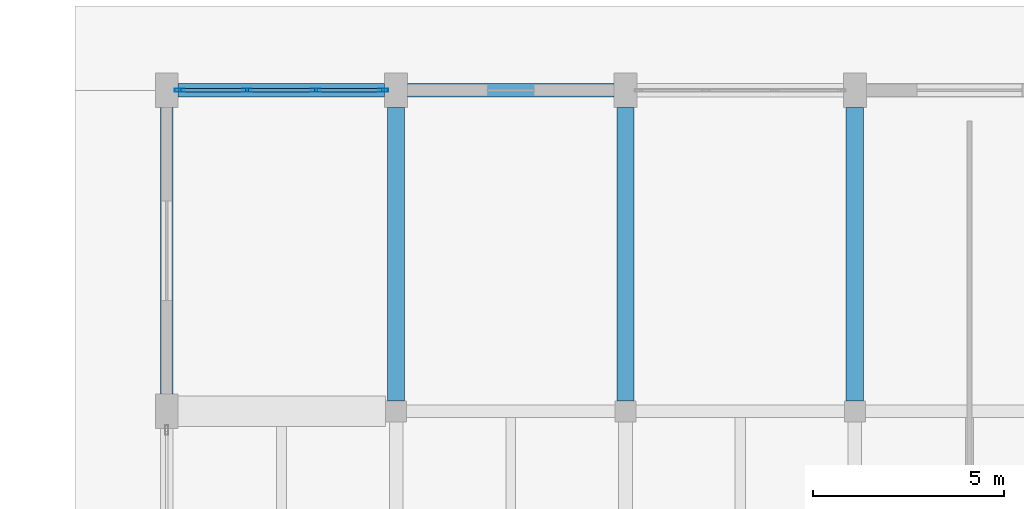
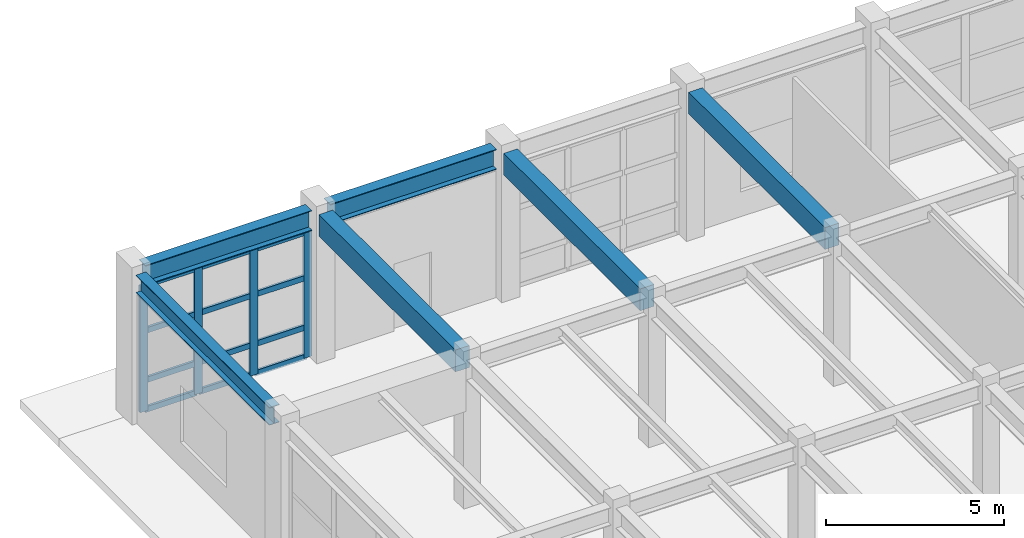
# One storey, part 39 of 91: 16 members, 6 beams, 1 element without a shape of its own.
"""IFC4 building model written with IfcOpenShell, lengths in metres."""

from ifc_helpers import new_model, si_unit, direction, frame, origin, origin_2d, place, context, subcontext, project, spatial, rectangle, hollow_rectangle, i_section, extrude, material, layer, layer_set, material_profile, profile_set, type_object, element, aggregate, save


model = new_model("IFC4")

# Units and contexts
model_context = context("Model", 3, precision=1e-05, world=origin(), true_north=direction((0.0, 1.0)))
body_context = subcontext(model_context, "Body", "Model", "MODEL_VIEW")
ifc_project = project(units=[si_unit("LENGTHUNIT", "METRE"), si_unit("AREAUNIT", "SQUARE_METRE"), si_unit("VOLUMEUNIT", "CUBIC_METRE"), si_unit("PLANEANGLEUNIT", "RADIAN"), si_unit("MASSUNIT", "GRAM", prefix="KILO")], contexts=[model_context])

# Site, building, storey
site_placement = place(None, origin())
site = spatial("IfcSite", under=ifc_project, at=site_placement, CompositionType="ELEMENT")
building_placement = place(site_placement, origin())
building = spatial("IfcBuilding", under=site, at=building_placement, Name="Vaelkrest Opera House", CompositionType="ELEMENT")
storey_placement = place(building_placement, origin())
storey = spatial("IfcBuildingStorey", under=building, at=storey_placement, Name="L00", CompositionType="ELEMENT", Elevation=0.0)

# Beams
ifc_material_1 = material(Name="Concrete C50/60", Category="concrete")
ifc_material_profile_1 = material_profile(ifc_material_1, rectangle(XDim=0.449951171875, YDim=0.75, at=origin_2d()), Name="RCB450X750")
ifc_profile_set_1 = profile_set([ifc_material_profile_1], Name="Concrete C50/60")
beam_type_1 = type_object("IfcBeamType", Name="B02", PredefinedType="BEAM", material=ifc_profile_set_1)
for number, where, z_axis, x_axis, name in (
    (1, (-69.60009765625, 33.875, 4.72998046875), (0.0, 1.0, 0.0), (-1.0, 0.0, 0.0), "Beam BM-V3-L00-1443"),
    (2, (-63.60009765625, 33.875, 4.72998046875), (0.0, 1.0, 0.0), (-1.0, 0.0, 0.0), "Beam BM-V3-L00-1447"),
    (3, (-57.60009765625, 33.875, 4.72998046875), (0.0, 1.0, 0.0), (-1.0, 0.0, 0.0), "Beam BM-V3-L00-1451"),
):
    element("IfcBeam", number, at=place(storey_placement, frame(where, z_axis=z_axis, x_axis=x_axis)), inside=storey, type_object=beam_type_1, Name=name, PredefinedType="BEAM", context=body_context, shape_type="SweptSolid", body=[
        extrude(rectangle(XDim=0.449951171875, YDim=0.75, at=origin_2d()), origin(), (0.0, 0.0, 1.0), 7.675048828125),
    ])

# Curtain wall, members
ifc_material_2 = material(Name="Dark bronze anodized aluminium", Category="aluminium")
ifc_layer = layer(ifc_material_2, 0.2099609375)
ifc_layer_set = layer_set([ifc_layer], Name="Dark bronze anodized aluminium")
curtain_wall_type = type_object("IfcCurtainWallType", Name="CW04", PredefinedType="NOTDEFINED", material=ifc_layer_set)
curtain_wall_placement = place(storey_placement, origin())
curtain_wall = element("IfcCurtainWall", 4, at=curtain_wall_placement, inside=storey, type_object=curtain_wall_type, Name="Curtain wall CW-L00-092", PredefinedType="NOTDEFINED")
ifc_material_profile_2 = material_profile(ifc_material_2, hollow_rectangle(XDim=0.080078125, YDim=0.260009765625, WallThickness=0.0048828125, at=origin_2d()), Name="CWM80X260")
ifc_profile_set_2 = profile_set([ifc_material_profile_2], Name="Dark bronze anodized aluminium")
member_type_1 = type_object("IfcMemberType", Name="CWM04", PredefinedType="MULLION", material=ifc_profile_set_2)
member_1_placement = place(storey_placement, frame((-75.261962890625, 42.0, 0.0), z_axis=(0.0, 0.0, 1.0), x_axis=(0.0, 1.0, 0.0)))
member_1 = element("IfcMember", 5, at=member_1_placement, type_object=member_type_1, Name="CW04 mullion 1", PredefinedType="MULLION", context=body_context, shape_type="SweptSolid", body=[
    extrude(hollow_rectangle(XDim=0.080078125, YDim=0.260009765625, WallThickness=0.0048828125, at=origin_2d()), origin(), (0.0, 0.0, 1.0), 4.344970703125),
])
member_2_placement = place(storey_placement, frame((-73.500732421875, 42.0, 0.0), z_axis=(0.0, 0.0, 1.0), x_axis=(0.0, 1.0, 0.0)))
member_2 = element("IfcMember", 6, at=member_2_placement, type_object=member_type_1, Name="CW04 mullion 2", PredefinedType="MULLION", context=body_context, shape_type="SweptSolid", body=[
    extrude(hollow_rectangle(XDim=0.080078125, YDim=0.260009765625, WallThickness=0.0048828125, at=origin_2d()), origin(), (0.0, 0.0, 1.0), 4.344970703125),
])
member_3_placement = place(storey_placement, frame((-71.69921875, 42.0, 0.0), z_axis=(0.0, 0.0, 1.0), x_axis=(0.0, 1.0, 0.0)))
member_3 = element("IfcMember", 7, at=member_3_placement, type_object=member_type_1, Name="CW04 mullion 3", PredefinedType="MULLION", context=body_context, shape_type="SweptSolid", body=[
    extrude(hollow_rectangle(XDim=0.080078125, YDim=0.260009765625, WallThickness=0.0048828125, at=origin_2d()), origin(), (0.0, 0.0, 1.0), 4.344970703125),
])
member_4_placement = place(storey_placement, frame((-69.93798828125, 42.0, 0.0), z_axis=(0.0, 0.0, 1.0), x_axis=(0.0, 1.0, 0.0)))
member_4 = element("IfcMember", 8, at=member_4_placement, type_object=member_type_1, Name="CW04 mullion 4", PredefinedType="MULLION", context=body_context, shape_type="SweptSolid", body=[
    extrude(hollow_rectangle(XDim=0.080078125, YDim=0.260009765625, WallThickness=0.0048828125, at=origin_2d()), origin(), (0.0, 0.0, 1.0), 4.344970703125),
])
ifc_material_profile_3 = material_profile(ifc_material_2, hollow_rectangle(XDim=0.080078125, YDim=0.18994140625, WallThickness=0.0048828125, at=origin_2d()), Name="CWT80X190")
ifc_profile_set_3 = profile_set([ifc_material_profile_3], Name="Dark bronze anodized aluminium")
member_type_2 = type_object("IfcMemberType", Name="CWT04", PredefinedType="USERDEFINED", material=ifc_profile_set_3)
member_5_placement = place(storey_placement, frame((-75.221923828125, 42.0, 0.0400390625), z_axis=(1.0, 0.0, 0.0), x_axis=(0.0, 1.0, 0.0)))
member_5 = element("IfcMember", 9, at=member_5_placement, type_object=member_type_2, Name="CW04 transom 1.1", ObjectType="TRANSOM", PredefinedType="USERDEFINED", context=body_context, shape_type="SweptSolid", body=[
    extrude(hollow_rectangle(XDim=0.080078125, YDim=0.18994140625, WallThickness=0.0048828125, at=origin_2d()), origin(), (0.0, 0.0, 1.0), 1.68115234375),
])
member_6_placement = place(storey_placement, frame((-75.221923828125, 42.0, 1.050048828125), z_axis=(1.0, 0.0, 0.0), x_axis=(0.0, 1.0, 0.0)))
member_6 = element("IfcMember", 10, at=member_6_placement, type_object=member_type_2, Name="CW04 transom 1.2", ObjectType="TRANSOM", PredefinedType="USERDEFINED", context=body_context, shape_type="SweptSolid", body=[
    extrude(hollow_rectangle(XDim=0.080078125, YDim=0.18994140625, WallThickness=0.0048828125, at=origin_2d()), origin(), (0.0, 0.0, 1.0), 1.68115234375),
])
member_7_placement = place(storey_placement, frame((-75.221923828125, 42.0, 2.75), z_axis=(1.0, 0.0, 0.0), x_axis=(0.0, 1.0, 0.0)))
member_7 = element("IfcMember", 11, at=member_7_placement, type_object=member_type_2, Name="CW04 transom 1.3", ObjectType="TRANSOM", PredefinedType="USERDEFINED", context=body_context, shape_type="SweptSolid", body=[
    extrude(hollow_rectangle(XDim=0.080078125, YDim=0.18994140625, WallThickness=0.0048828125, at=origin_2d()), origin(), (0.0, 0.0, 1.0), 1.68115234375),
])
member_8_placement = place(storey_placement, frame((-75.221923828125, 42.0, 4.304931640625), z_axis=(1.0, 0.0, 0.0), x_axis=(0.0, 1.0, 0.0)))
member_8 = element("IfcMember", 12, at=member_8_placement, type_object=member_type_2, Name="CW04 transom 1.4", ObjectType="TRANSOM", PredefinedType="USERDEFINED", context=body_context, shape_type="SweptSolid", body=[
    extrude(hollow_rectangle(XDim=0.080078125, YDim=0.18994140625, WallThickness=0.0048828125, at=origin_2d()), origin(), (0.0, 0.0, 1.0), 1.68115234375),
])
member_9_placement = place(storey_placement, frame((-73.460693359375, 42.0, 0.0400390625), z_axis=(1.0, 0.0, 0.0), x_axis=(0.0, 1.0, 0.0)))
member_9 = element("IfcMember", 13, at=member_9_placement, type_object=member_type_2, Name="CW04 transom 2.1", ObjectType="TRANSOM", PredefinedType="USERDEFINED", context=body_context, shape_type="SweptSolid", body=[
    extrude(hollow_rectangle(XDim=0.080078125, YDim=0.18994140625, WallThickness=0.0048828125, at=origin_2d()), origin(), (0.0, 0.0, 1.0), 1.721435546875),
])
member_10_placement = place(storey_placement, frame((-73.460693359375, 42.0, 1.050048828125), z_axis=(1.0, 0.0, 0.0), x_axis=(0.0, 1.0, 0.0)))
member_10 = element("IfcMember", 14, at=member_10_placement, type_object=member_type_2, Name="CW04 transom 2.2", ObjectType="TRANSOM", PredefinedType="USERDEFINED", context=body_context, shape_type="SweptSolid", body=[
    extrude(hollow_rectangle(XDim=0.080078125, YDim=0.18994140625, WallThickness=0.0048828125, at=origin_2d()), origin(), (0.0, 0.0, 1.0), 1.721435546875),
])
member_11_placement = place(storey_placement, frame((-73.460693359375, 42.0, 2.75), z_axis=(1.0, 0.0, 0.0), x_axis=(0.0, 1.0, 0.0)))
member_11 = element("IfcMember", 15, at=member_11_placement, type_object=member_type_2, Name="CW04 transom 2.3", ObjectType="TRANSOM", PredefinedType="USERDEFINED", context=body_context, shape_type="SweptSolid", body=[
    extrude(hollow_rectangle(XDim=0.080078125, YDim=0.18994140625, WallThickness=0.0048828125, at=origin_2d()), origin(), (0.0, 0.0, 1.0), 1.721435546875),
])
member_12_placement = place(storey_placement, frame((-73.460693359375, 42.0, 4.304931640625), z_axis=(1.0, 0.0, 0.0), x_axis=(0.0, 1.0, 0.0)))
member_12 = element("IfcMember", 16, at=member_12_placement, type_object=member_type_2, Name="CW04 transom 2.4", ObjectType="TRANSOM", PredefinedType="USERDEFINED", context=body_context, shape_type="SweptSolid", body=[
    extrude(hollow_rectangle(XDim=0.080078125, YDim=0.18994140625, WallThickness=0.0048828125, at=origin_2d()), origin(), (0.0, 0.0, 1.0), 1.721435546875),
])
member_13_placement = place(storey_placement, frame((-71.659423828125, 42.0, 0.0400390625), z_axis=(1.0, 0.0, 0.0), x_axis=(0.0, 1.0, 0.0)))
member_13 = element("IfcMember", 17, at=member_13_placement, type_object=member_type_2, Name="CW04 transom 3.1", ObjectType="TRANSOM", PredefinedType="USERDEFINED", context=body_context, shape_type="SweptSolid", body=[
    extrude(hollow_rectangle(XDim=0.080078125, YDim=0.18994140625, WallThickness=0.0048828125, at=origin_2d()), origin(), (0.0, 0.0, 1.0), 1.681396484375),
])
member_14_placement = place(storey_placement, frame((-71.659423828125, 42.0, 1.050048828125), z_axis=(1.0, 0.0, 0.0), x_axis=(0.0, 1.0, 0.0)))
member_14 = element("IfcMember", 18, at=member_14_placement, type_object=member_type_2, Name="CW04 transom 3.2", ObjectType="TRANSOM", PredefinedType="USERDEFINED", context=body_context, shape_type="SweptSolid", body=[
    extrude(hollow_rectangle(XDim=0.080078125, YDim=0.18994140625, WallThickness=0.0048828125, at=origin_2d()), origin(), (0.0, 0.0, 1.0), 1.681396484375),
])
member_15_placement = place(storey_placement, frame((-71.659423828125, 42.0, 2.75), z_axis=(1.0, 0.0, 0.0), x_axis=(0.0, 1.0, 0.0)))
member_15 = element("IfcMember", 19, at=member_15_placement, type_object=member_type_2, Name="CW04 transom 3.3", ObjectType="TRANSOM", PredefinedType="USERDEFINED", context=body_context, shape_type="SweptSolid", body=[
    extrude(hollow_rectangle(XDim=0.080078125, YDim=0.18994140625, WallThickness=0.0048828125, at=origin_2d()), origin(), (0.0, 0.0, 1.0), 1.681396484375),
])
member_16_placement = place(storey_placement, frame((-71.659423828125, 42.0, 4.304931640625), z_axis=(1.0, 0.0, 0.0), x_axis=(0.0, 1.0, 0.0)))
member_16 = element("IfcMember", 20, at=member_16_placement, type_object=member_type_2, Name="CW04 transom 3.4", ObjectType="TRANSOM", PredefinedType="USERDEFINED", context=body_context, shape_type="SweptSolid", body=[
    extrude(hollow_rectangle(XDim=0.080078125, YDim=0.18994140625, WallThickness=0.0048828125, at=origin_2d()), origin(), (0.0, 0.0, 1.0), 1.681396484375),
])
aggregate(curtain_wall, [member_1, member_2, member_3, member_4, member_5, member_6, member_7, member_8, member_9, member_10, member_11, member_12, member_13, member_14, member_15, member_16])

# Beams
ifc_material_3 = material(Name="Steel A992 Gr50", Category="steel")
ifc_material_profile_4 = material_profile(ifc_material_3, i_section(OverallWidth=0.323974609375, OverallDepth=0.611083984375, WebThickness=0.0126953125, FlangeThickness=0.01904296875, at=origin_2d()), Name="W24X104")
ifc_profile_set_4 = profile_set([ifc_material_profile_4], Name="Steel A992 Gr50")
beam_type_2 = type_object("IfcBeamType", Name="SP01", PredefinedType="SPANDREL", material=ifc_profile_set_4)
beam_placement = place(storey_placement, frame((-75.60009765625, 34.050048828125, 4.799560546875), z_axis=(0.0, 1.0, 0.0), x_axis=(-1.0, 0.0, 0.0)))
element("IfcBeam", 21, at=beam_placement, inside=storey, type_object=beam_type_2, Name="Beam BM-V3-L00-1436", PredefinedType="SPANDREL", context=body_context, shape_type="SweptSolid", body=[
    extrude(i_section(OverallWidth=0.323974609375, OverallDepth=0.611083984375, WebThickness=0.0126953125, FlangeThickness=0.01904296875, at=origin_2d()), origin(), (0.0, 0.0, 1.0), 7.5),
])
ifc_material_profile_5 = material_profile(ifc_material_3, i_section(OverallWidth=0.35498046875, OverallDepth=0.695068359375, WebThickness=0.015380859375, FlangeThickness=0.02490234375, at=origin_2d()), Name="W27X146")
ifc_profile_set_5 = profile_set([ifc_material_profile_5], Name="Steel A992 Gr50")
beam_type_3 = type_object("IfcBeamType", Name="SP02", PredefinedType="SPANDREL", material=ifc_profile_set_5)
for number, where, z_axis, x_axis, name in (
    (22, (-75.300048828125, 42.0, 4.757568359375), (1.0, 0.0, 0.0), (0.0, 1.0, 0.0), "Beam BM-V3-L00-1423"),
    (23, (-69.300048828125, 42.0, 4.757568359375), (1.0, 0.0, 0.0), (0.0, 1.0, 0.0), "Beam BM-V3-L00-1424"),
):
    element("IfcBeam", number, at=place(storey_placement, frame(where, z_axis=z_axis, x_axis=x_axis)), inside=storey, type_object=beam_type_3, Name=name, PredefinedType="SPANDREL", context=body_context, shape_type="SweptSolid", body=[
        extrude(i_section(OverallWidth=0.35498046875, OverallDepth=0.695068359375, WebThickness=0.015380859375, FlangeThickness=0.02490234375, at=origin_2d()), origin(), (0.0, 0.0, 1.0), 5.400146484375),
    ])

save(model, "model.ifc")
